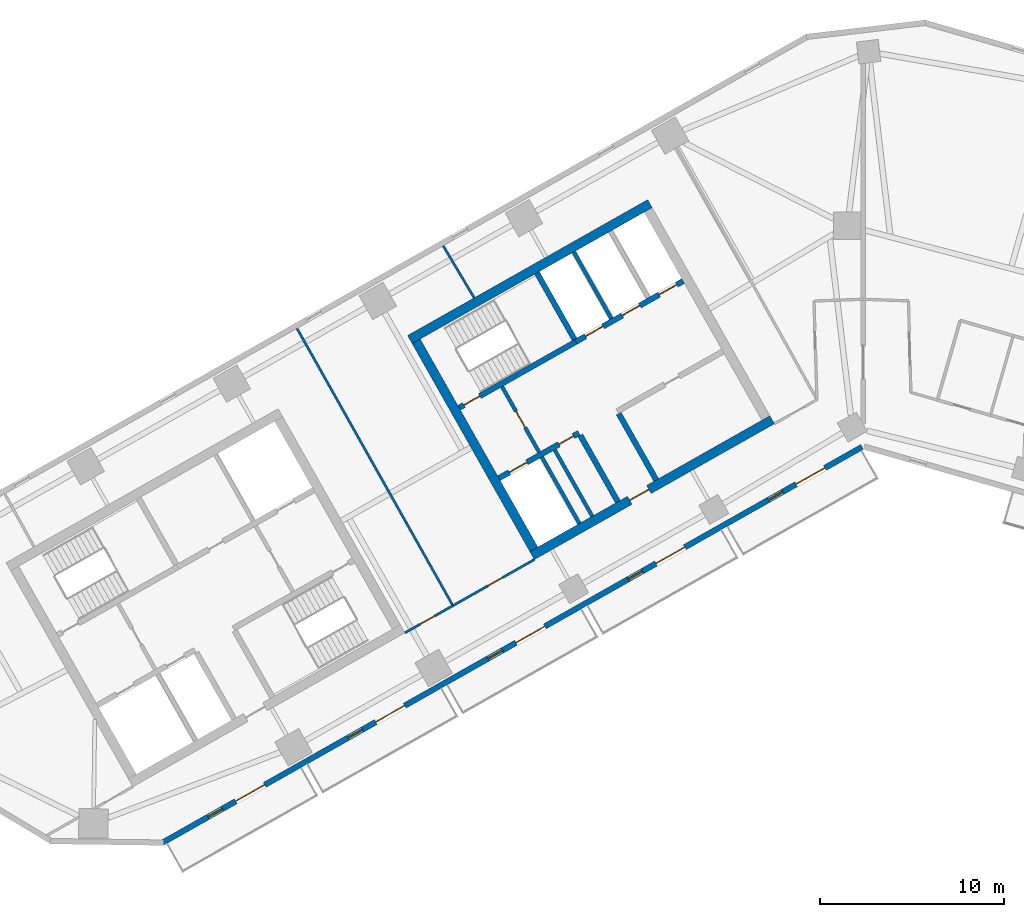
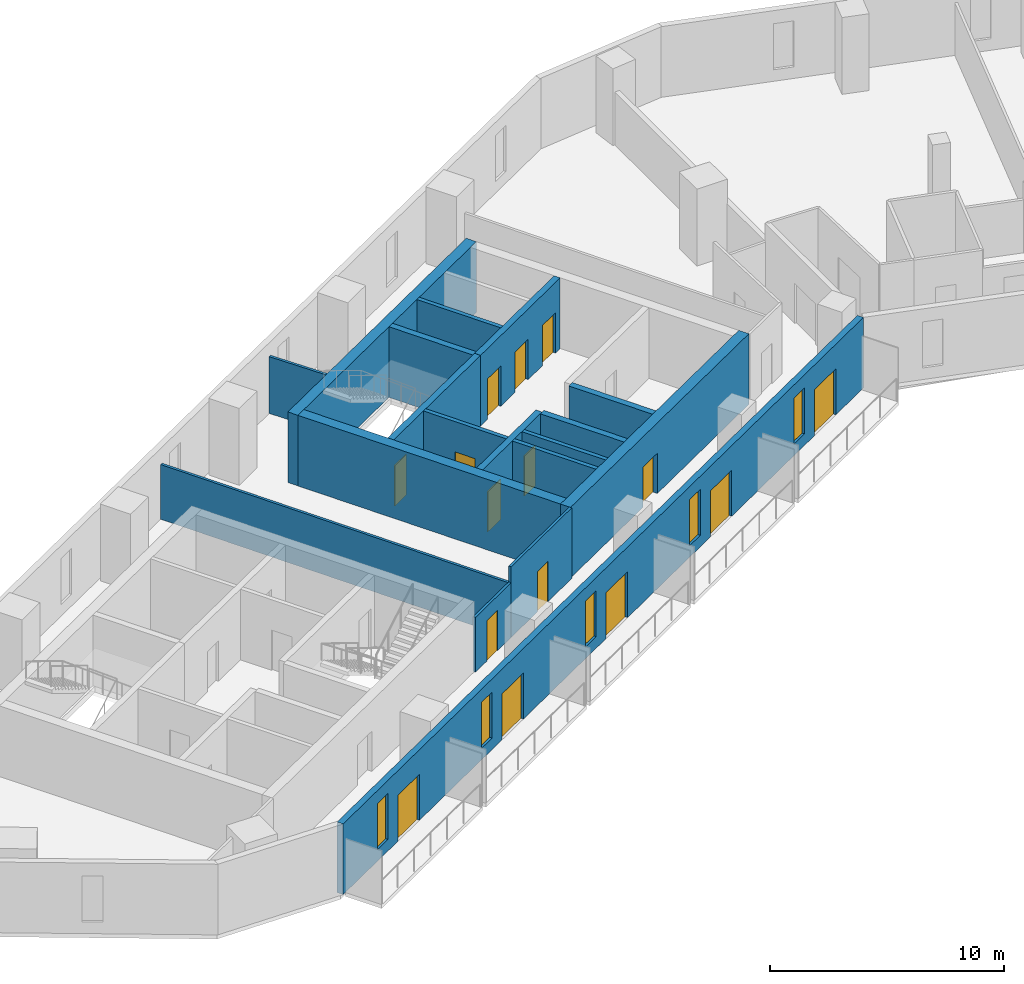
# One storey, part 4 of 9: 18 walls, 15 doors, 5 windows, 20 openings.
"""IFC4 building model written with IfcOpenShell, lengths in metres."""

from ifc_helpers import new_model, si_unit, direction, frame, frame_2d, origin, place, context, subcontext, project, spatial, rectangle, extrude, material, layer, layer_set, type_object, element, fill, save


model = new_model("IFC4")

# Units and contexts
model_context = context("Model", 3, precision=1e-05, world=origin(), true_north=direction((0.0, 1.0)))
body_context = subcontext(model_context, "Body", "Model", "MODEL_VIEW")
ifc_project = project(units=[si_unit("LENGTHUNIT", "METRE"), si_unit("AREAUNIT", "SQUARE_METRE"), si_unit("VOLUMEUNIT", "CUBIC_METRE"), si_unit("PLANEANGLEUNIT", "RADIAN"), si_unit("MASSUNIT", "GRAM", prefix="KILO")], contexts=[model_context])

# Site, building, storey
site_placement = place(None, origin())
site = spatial("IfcSite", under=ifc_project, at=site_placement, CompositionType="ELEMENT")
building_placement = place(site_placement, origin())
building = spatial("IfcBuilding", under=site, at=building_placement, Name="Binnacle Exchange Tower", CompositionType="ELEMENT")
storey_placement = place(building_placement, frame((0.0, 0.0, 158.89990234375)))
storey = spatial("IfcBuildingStorey", under=building, at=storey_placement, Name="L33", CompositionType="ELEMENT", Elevation=158.89990234375)

# Wall, openings, doors
ifc_material_1 = material(Name="Concrete C70/85", Category="concrete")
ifc_layer_1 = layer(ifc_material_1, 0.300048828125)
ifc_layer_set_1 = layer_set([ifc_layer_1], Name="Core wall - front 300")
wall_type_1 = type_object("IfcWallType", Name="Core wall - front 300", PredefinedType="SOLIDWALL", material=ifc_layer_set_1)
wall_1_placement = place(storey_placement, frame((-19.80517578125, 46.26708984375, 0.0), z_axis=(0.0, 0.0, 1.0), x_axis=(0.870353598469, 0.492427267353, 0.0)))
wall_1 = element("IfcWall", 1, at=wall_1_placement, inside=storey, type_object=wall_type_1, Name="Core wall CRWC2", PredefinedType="SOLIDWALL", context=body_context, shape_type="SweptSolid", body=[
    extrude(rectangle(XDim=5.0, YDim=0.300048828125, at=frame_2d((2.5, 0.0))), origin(), (0.0, 0.0, 1.0), 3.68017578125),
])
opening_1_placement = place(wall_1_placement, frame((0.64990234375, 0.0, 0.0)))
opening_1 = element("IfcOpeningElement", 2, at=opening_1_placement, cuts=wall_1, Name="Opening LD14", PredefinedType="OPENING", context=body_context, shape_type="SweptSolid", body=[
    extrude(rectangle(XDim=1.10009765625, YDim=2.10009765625, at=frame_2d((0.550048828125, 1.050048828125))), frame((0.0, 0.159912109375, 0.0), z_axis=(0.0, -1.0, 0.0), x_axis=(1.0, 0.0, 0.0)), (0.0, 0.0, 1.0), 0.320068359375),
])
opening_2_placement = place(wall_1_placement, frame((3.75, 0.0, 0.0)))
opening_2 = element("IfcOpeningElement", 3, at=opening_2_placement, cuts=wall_1, Name="Opening DC14", PredefinedType="OPENING", context=body_context, shape_type="SweptSolid", body=[
    extrude(rectangle(XDim=0.89990234375, YDim=2.10009765625, at=frame_2d((0.449951171875, 1.050048828125))), frame((0.0, 0.159912109375, 0.0), z_axis=(0.0, -1.0, 0.0), x_axis=(1.0, 0.0, 0.0)), (0.0, 0.0, 1.0), 0.320068359375),
])
ifc_material_2 = material(Name="Steel door leaf", Category="steel")
door_type_1 = type_object("IfcDoorType", Name="Fire door - lift landing 1100", OperationType="NOTDEFINED", PredefinedType="DOOR", material=ifc_material_2)
door_1_placement = place(opening_1_placement, origin())
door_1 = element("IfcDoor", 4, at=door_1_placement, inside=storey, type_object=door_type_1, Name="Landing door LD14 L33", OperationType="DOUBLE_DOOR_SLIDING", OverallHeight=2.10009765625, OverallWidth=1.10009765625, PredefinedType="DOOR", context=body_context, shape_type="SweptSolid", body=[
    extrude(rectangle(XDim=1.10009765625, YDim=2.10009765625, at=frame_2d((0.550048828125, 1.050048828125))), frame((0.0, 0.02490234375, 0.0), z_axis=(0.0, -1.0, 0.0), x_axis=(1.0, 0.0, 0.0)), (0.0, 0.0, 1.0), 0.050048828125),
])
fill(opening_1, door_1)
door_type_2 = type_object("IfcDoorType", Name="Fire door 900", OperationType="NOTDEFINED", PredefinedType="DOOR", material=ifc_material_2)
door_2_placement = place(opening_2_placement, frame((0.89990234375, 0.0, 0.0), z_axis=(0.0, 0.0, 1.0), x_axis=(-1.0, 0.0, 0.0)))
door_2 = element("IfcDoor", 5, at=door_2_placement, inside=storey, type_object=door_type_2, Name="Core room door COMMS RISER ROOM", OperationType="SINGLE_SWING_LEFT", OverallHeight=2.10009765625, OverallWidth=0.89990234375, PredefinedType="DOOR", context=body_context, shape_type="SweptSolid", body=[
    extrude(rectangle(XDim=0.89990234375, YDim=2.10009765625, at=frame_2d((0.449951171875, 1.050048828125))), frame((0.0, 0.02490234375, 0.0), z_axis=(0.0, -1.0, 0.0), x_axis=(1.0, 0.0, 0.0)), (0.0, 0.0, 1.0), 0.050048828125),
])
fill(opening_2, door_2)

wall_2_placement = place(storey_placement, frame((-15.6181640625, 53.69140625, 0.0), z_axis=(0.0, 0.0, 1.0), x_axis=(0.870363236066, 0.492410232738, 0.0)))
wall_2 = element("IfcWall", 6, at=wall_2_placement, inside=storey, type_object=wall_type_1, Name="Core wall CRWC5", PredefinedType="SOLIDWALL", context=body_context, shape_type="SweptSolid", body=[
    extrude(rectangle(XDim=6.699951171875, YDim=0.300048828125, at=frame_2d((3.35009765625, 0.0))), origin(), (0.0, 0.0, 1.0), 3.68017578125),
])
opening_3_placement = place(wall_2_placement, frame((0.60009765625, 0.0, 0.0)))
opening_3 = element("IfcOpeningElement", 7, at=opening_3_placement, cuts=wall_2, Name="Opening LD5", PredefinedType="OPENING", context=body_context, shape_type="SweptSolid", body=[
    extrude(rectangle(XDim=1.10009765625, YDim=2.10009765625, at=frame_2d((0.550048828125, 1.050048828125))), frame((0.0, 0.159912109375, 0.0), z_axis=(0.0, -1.0, 0.0), x_axis=(1.0, 0.0, 0.0)), (0.0, 0.0, 1.0), 0.320068359375),
])
opening_4_placement = place(wall_2_placement, frame((2.89990234375, 0.0, 0.0)))
opening_4 = element("IfcOpeningElement", 8, at=opening_4_placement, cuts=wall_2, Name="Opening LD6", PredefinedType="OPENING", context=body_context, shape_type="SweptSolid", body=[
    extrude(rectangle(XDim=1.10009765625, YDim=2.10009765625, at=frame_2d((0.550048828125, 1.050048828125))), frame((0.0, 0.159912109375, 0.0), z_axis=(0.0, -1.0, 0.0), x_axis=(1.0, 0.0, 0.0)), (0.0, 0.0, 1.0), 0.320068359375),
])
opening_5_placement = place(wall_2_placement, frame((5.199951171875, 0.0, 0.0)))
opening_5 = element("IfcOpeningElement", 9, at=opening_5_placement, cuts=wall_2, Name="Opening LD7", PredefinedType="OPENING", context=body_context, shape_type="SweptSolid", body=[
    extrude(rectangle(XDim=1.10009765625, YDim=2.10009765625, at=frame_2d((0.550048828125, 1.050048828125))), frame((0.0, 0.159912109375, 0.0), z_axis=(0.0, -1.0, 0.0), x_axis=(1.0, 0.0, 0.0)), (0.0, 0.0, 1.0), 0.320068359375),
])
door_3_placement = place(opening_3_placement, origin())
door_3 = element("IfcDoor", 10, at=door_3_placement, inside=storey, type_object=door_type_1, Name="Landing door LD5 L33", OperationType="DOUBLE_DOOR_SLIDING", OverallHeight=2.10009765625, OverallWidth=1.10009765625, PredefinedType="DOOR", context=body_context, shape_type="SweptSolid", body=[
    extrude(rectangle(XDim=1.10009765625, YDim=2.10009765625, at=frame_2d((0.550048828125, 1.050048828125))), frame((0.0, 0.02490234375, 0.0), z_axis=(0.0, -1.0, 0.0), x_axis=(1.0, 0.0, 0.0)), (0.0, 0.0, 1.0), 0.050048828125),
])
fill(opening_3, door_3)
door_4_placement = place(opening_4_placement, origin())
door_4 = element("IfcDoor", 11, at=door_4_placement, inside=storey, type_object=door_type_1, Name="Landing door LD6 L33", OperationType="DOUBLE_DOOR_SLIDING", OverallHeight=2.10009765625, OverallWidth=1.10009765625, PredefinedType="DOOR", context=body_context, shape_type="SweptSolid", body=[
    extrude(rectangle(XDim=1.10009765625, YDim=2.10009765625, at=frame_2d((0.550048828125, 1.050048828125))), frame((0.0, 0.02490234375, 0.0), z_axis=(0.0, -1.0, 0.0), x_axis=(1.0, 0.0, 0.0)), (0.0, 0.0, 1.0), 0.050048828125),
])
fill(opening_4, door_4)
door_5_placement = place(opening_5_placement, origin())
door_5 = element("IfcDoor", 12, at=door_5_placement, inside=storey, type_object=door_type_1, Name="Landing door LD7 L33", OperationType="DOUBLE_DOOR_SLIDING", OverallHeight=2.10009765625, OverallWidth=1.10009765625, PredefinedType="DOOR", context=body_context, shape_type="SweptSolid", body=[
    extrude(rectangle(XDim=1.10009765625, YDim=2.10009765625, at=frame_2d((0.550048828125, 1.050048828125))), frame((0.0, 0.02490234375, 0.0), z_axis=(0.0, -1.0, 0.0), x_axis=(1.0, 0.0, 0.0)), (0.0, 0.0, 1.0), 0.050048828125),
])
fill(opening_5, door_5)

# Walls
for number, where, z_axis, x_axis, name in (
    (13, (-15.37939453125, 48.5986328125, 0.0), (0.0, 0.0, 1.0), (0.492396453737, -0.870371031427, 0.0), "Core wall CRWC13"),
    (14, (-13.29052734375, 49.780517578125, 0.0), (0.0, 0.0, 1.0), (0.492396453737, -0.870371031427, 0.0), "Core wall CRWC15"),
):
    element("IfcWall", number, at=place(storey_placement, frame(where, z_axis=z_axis, x_axis=x_axis)), inside=storey, type_object=wall_type_1, Name=name, PredefinedType="SOLIDWALL", context=body_context, shape_type="SweptSolid", body=[
        extrude(rectangle(XDim=4.14990234375, YDim=0.300048828125, at=frame_2d((2.074951171875, 0.0))), origin(), (0.0, 0.0, 1.0), 3.68017578125),
    ])

# Wall, opening, door
ifc_layer_2 = layer(ifc_material_1, 0.5)
ifc_layer_set_2 = layer_set([ifc_layer_2], Name="Core wall - outer 500")
wall_type_2 = type_object("IfcWallType", Name="Core wall - outer 500", PredefinedType="SOLIDWALL", material=ifc_layer_set_2)
wall_3_placement = place(storey_placement, frame((-17.999755859375, 42.060791015625, 0.0), z_axis=(0.0, 0.0, 1.0), x_axis=(0.870356627484, 0.492421913601, 0.0)))
wall_3 = element("IfcWall", 15, at=wall_3_placement, inside=storey, type_object=wall_type_2, Name="Core wall CRWC1", PredefinedType="SOLIDWALL", context=body_context, shape_type="SweptSolid", body=[
    extrude(rectangle(XDim=14.999755859375, YDim=0.5, at=frame_2d((7.5, 0.0))), origin(), (0.0, 0.0, 1.0), 3.68017578125),
])
opening_6_placement = place(wall_3_placement, frame((6.10009765625, 0.0, 0.0)))
opening_6 = element("IfcOpeningElement", 16, at=opening_6_placement, cuts=wall_3, Name="Opening DC7", PredefinedType="OPENING", context=body_context, shape_type="SweptSolid", body=[
    extrude(rectangle(XDim=1.199951171875, YDim=2.10009765625, at=frame_2d((0.60009765625, 1.050048828125))), frame((0.0, 0.260009765625, 0.0), z_axis=(0.0, -1.0, 0.0), x_axis=(1.0, 0.0, 0.0)), (0.0, 0.0, 1.0), 0.52001953125),
])
door_type_3 = type_object("IfcDoorType", Name="Fire door 1200", OperationType="NOTDEFINED", PredefinedType="DOOR", material=ifc_material_2)
door_6_placement = place(opening_6_placement, frame((1.199951171875, 0.0, 0.0), z_axis=(0.0, 0.0, 1.0), x_axis=(-1.0, 0.0, 0.0)))
door_6 = element("IfcDoor", 17, at=door_6_placement, inside=storey, type_object=door_type_3, Name="Lift lobby entrance door core C", OperationType="SINGLE_SWING_RIGHT", OverallHeight=2.10009765625, OverallWidth=1.199951171875, PredefinedType="DOOR", context=body_context, shape_type="SweptSolid", body=[
    extrude(rectangle(XDim=1.199951171875, YDim=2.10009765625, at=frame_2d((0.60009765625, 1.050048828125))), frame((0.0, 0.02490234375, 0.0), z_axis=(0.0, -1.0, 0.0), x_axis=(1.0, 0.0, 0.0)), (0.0, 0.0, 1.0), 0.050048828125),
])
fill(opening_6, door_6)

# Walls
wall_4_placement = place(storey_placement, frame((-24.6474609375, 53.810546875, 0.0), z_axis=(0.0, 0.0, 1.0), x_axis=(0.87034965173, 0.492434243055, 0.0)))
element("IfcWall", 18, at=wall_4_placement, inside=storey, type_object=wall_type_2, Name="Core wall CRWC6", PredefinedType="SOLIDWALL", context=body_context, shape_type="SweptSolid", body=[
    extrude(rectangle(XDim=15.0, YDim=0.5, at=frame_2d((7.5, 0.0))), origin(), (0.0, 0.0, 1.0), 3.68017578125),
])
wall_5_placement = place(storey_placement, frame((-24.306884765625, 53.716064453125, 0.0), z_axis=(0.0, 0.0, 1.0), x_axis=(0.492427267353, -0.870353598469, 0.0)))
element("IfcWall", 19, at=wall_5_placement, inside=storey, type_object=wall_type_2, Name="Core wall CRWC7", PredefinedType="SOLIDWALL", context=body_context, shape_type="SweptSolid", body=[
    extrude(rectangle(XDim=13.0, YDim=0.5, at=frame_2d((6.5, 0.0))), origin(), (0.0, 0.0, 1.0), 3.68017578125),
])

# Wall, opening, door
ifc_layer_3 = layer(ifc_material_1, 0.300048828125)
ifc_layer_set_3 = layer_set([ifc_layer_3], Name="Core wall - stair 300")
wall_type_3 = type_object("IfcWallType", Name="Core wall - stair 300", PredefinedType="SOLIDWALL", material=ifc_layer_set_3)
wall_6_placement = place(storey_placement, frame((-21.9716796875, 50.0966796875, 0.0), z_axis=(0.0, 0.0, 1.0), x_axis=(0.870350976978, 0.492431900747, 0.0)))
wall_6 = element("IfcWall", 20, at=wall_6_placement, inside=storey, type_object=wall_type_3, Name="Core wall CRWC4", PredefinedType="SOLIDWALL", context=body_context, shape_type="SweptSolid", body=[
    extrude(rectangle(XDim=7.300048828125, YDim=0.300048828125, at=frame_2d((3.64990234375, 0.0))), origin(), (0.0, 0.0, 1.0), 3.68017578125),
])
opening_7_placement = place(wall_6_placement, frame((0.300048828125, 0.0, 0.0)))
opening_7 = element("IfcOpeningElement", 21, at=opening_7_placement, cuts=wall_6, Name="Opening DC1", PredefinedType="OPENING", context=body_context, shape_type="SweptSolid", body=[
    extrude(rectangle(XDim=1.0, YDim=2.10009765625, at=frame_2d((0.5, 1.050048828125))), frame((0.0, 0.159912109375, 0.0), z_axis=(0.0, -1.0, 0.0), x_axis=(1.0, 0.0, 0.0)), (0.0, 0.0, 1.0), 0.320068359375),
])
door_type_4 = type_object("IfcDoorType", Name="Fire door 1000", OperationType="NOTDEFINED", PredefinedType="DOOR", material=ifc_material_2)
door_7_placement = place(opening_7_placement, origin())
door_7 = element("IfcDoor", 22, at=door_7_placement, inside=storey, type_object=door_type_4, Name="Stair door ST-C1", OperationType="SINGLE_SWING_LEFT", OverallHeight=2.10009765625, OverallWidth=1.0, PredefinedType="DOOR", context=body_context, shape_type="SweptSolid", body=[
    extrude(rectangle(XDim=1.0, YDim=2.10009765625, at=frame_2d((0.5, 1.050048828125))), frame((0.0, 0.02490234375, 0.0), z_axis=(0.0, -1.0, 0.0), x_axis=(1.0, 0.0, 0.0)), (0.0, 0.0, 1.0), 0.050048828125),
])
fill(opening_7, door_7)

# Wall
wall_7_placement = place(storey_placement, frame((-17.735595703125, 57.433837890625, 0.0), z_axis=(0.0, 0.0, 1.0), x_axis=(0.492421666909, -0.870356767055, 0.0)))
element("IfcWall", 23, at=wall_7_placement, inside=storey, type_object=wall_type_3, Name="Core wall CRWC14", PredefinedType="SOLIDWALL", context=body_context, shape_type="SweptSolid", body=[
    extrude(rectangle(XDim=4.14990234375, YDim=0.300048828125, at=frame_2d((2.074951171875, 0.0))), origin(), (0.0, 0.0, 1.0), 3.68017578125),
])

# Wall, openings, doors, windows
ifc_material_3 = material(Name="Bronze aluminium cladding", Category="aluminium")
ifc_layer_4 = layer(ifc_material_3, 0.300048828125)
ifc_layer_set_4 = layer_set([ifc_layer_4], Name="External wall - spandrel 300")
wall_type_4 = type_object("IfcWallType", Name="External wall - spandrel 300", PredefinedType="STANDARD", material=ifc_layer_set_4)
wall_8_placement = place(storey_placement, frame((-0.0546875, 47.968994140625, 0.0), z_axis=(0.0, 0.0, 1.0), x_axis=(-0.870355730478, -0.492423499058, 0.0)))
wall_8 = element("IfcWall", 24, at=wall_8_placement, inside=storey, type_object=wall_type_4, Name="External wall EW-G01 L33", PredefinedType="STANDARD", context=body_context, shape_type="SweptSolid", body=[
    extrude(rectangle(XDim=43.750244140625, YDim=0.300048828125, at=frame_2d((21.875, 0.0))), origin(), (0.0, 0.0, 1.0), 3.68017578125),
])
opening_8_placement = place(wall_8_placement, frame((39.976806640625, 0.0, 0.60009765625)))
opening_8 = element("IfcOpeningElement", 25, at=opening_8_placement, cuts=wall_8, Name="Opening WS3", PredefinedType="OPENING", context=body_context, shape_type="SweptSolid", body=[
    extrude(rectangle(XDim=0.89990234375, YDim=2.39990234375, at=frame_2d((0.449951171875, 1.199951171875))), frame((0.0, 0.159912109375, 0.0), z_axis=(0.0, -1.0, 0.0), x_axis=(1.0, 0.0, 0.0)), (0.0, 0.0, 1.0), 0.320068359375),
])
opening_9_placement = place(wall_8_placement, frame((37.338134765625, 0.0, 0.0)))
opening_9 = element("IfcOpeningElement", 26, at=opening_9_placement, cuts=wall_8, Name="Opening D-FS11-01", PredefinedType="OPENING", context=body_context, shape_type="SweptSolid", body=[
    extrude(rectangle(XDim=1.800048828125, YDim=2.39990234375, at=frame_2d((0.89990234375, 1.199951171875))), frame((0.0, 0.159912109375, 0.0), z_axis=(0.0, -1.0, 0.0), x_axis=(1.0, 0.0, 0.0)), (0.0, 0.0, 1.0), 0.320068359375),
])
opening_10_placement = place(wall_8_placement, frame((31.222412109375, 0.0, 0.60009765625)))
opening_10 = element("IfcOpeningElement", 27, at=opening_10_placement, cuts=wall_8, Name="Opening WS3", PredefinedType="OPENING", context=body_context, shape_type="SweptSolid", body=[
    extrude(rectangle(XDim=0.89990234375, YDim=2.39990234375, at=frame_2d((0.449951171875, 1.199951171875))), frame((0.0, 0.159912109375, 0.0), z_axis=(0.0, -1.0, 0.0), x_axis=(1.0, 0.0, 0.0)), (0.0, 0.0, 1.0), 0.320068359375),
])
opening_11_placement = place(wall_8_placement, frame((28.583740234375, 0.0, 0.0)))
opening_11 = element("IfcOpeningElement", 28, at=opening_11_placement, cuts=wall_8, Name="Opening D-FS11-02", PredefinedType="OPENING", context=body_context, shape_type="SweptSolid", body=[
    extrude(rectangle(XDim=1.800048828125, YDim=2.39990234375, at=frame_2d((0.89990234375, 1.199951171875))), frame((0.0, 0.159912109375, 0.0), z_axis=(0.0, -1.0, 0.0), x_axis=(1.0, 0.0, 0.0)), (0.0, 0.0, 1.0), 0.320068359375),
])
opening_12_placement = place(wall_8_placement, frame((22.4677734375, 0.0, 0.60009765625)))
opening_12 = element("IfcOpeningElement", 29, at=opening_12_placement, cuts=wall_8, Name="Opening WS3", PredefinedType="OPENING", context=body_context, shape_type="SweptSolid", body=[
    extrude(rectangle(XDim=0.89990234375, YDim=2.39990234375, at=frame_2d((0.449951171875, 1.199951171875))), frame((0.0, 0.159912109375, 0.0), z_axis=(0.0, -1.0, 0.0), x_axis=(1.0, 0.0, 0.0)), (0.0, 0.0, 1.0), 0.320068359375),
])
opening_13_placement = place(wall_8_placement, frame((19.8291015625, 0.0, 0.0)))
opening_13 = element("IfcOpeningElement", 30, at=opening_13_placement, cuts=wall_8, Name="Opening D-FS11-03", PredefinedType="OPENING", context=body_context, shape_type="SweptSolid", body=[
    extrude(rectangle(XDim=1.800048828125, YDim=2.39990234375, at=frame_2d((0.89990234375, 1.199951171875))), frame((0.0, 0.159912109375, 0.0), z_axis=(0.0, -1.0, 0.0), x_axis=(1.0, 0.0, 0.0)), (0.0, 0.0, 1.0), 0.320068359375),
])
opening_14_placement = place(wall_8_placement, frame((13.713134765625, 0.0, 0.60009765625)))
opening_14 = element("IfcOpeningElement", 31, at=opening_14_placement, cuts=wall_8, Name="Opening WS3", PredefinedType="OPENING", context=body_context, shape_type="SweptSolid", body=[
    extrude(rectangle(XDim=0.89990234375, YDim=2.39990234375, at=frame_2d((0.449951171875, 1.199951171875))), frame((0.0, 0.159912109375, 0.0), z_axis=(0.0, -1.0, 0.0), x_axis=(1.0, 0.0, 0.0)), (0.0, 0.0, 1.0), 0.320068359375),
])
opening_15_placement = place(wall_8_placement, frame((11.07470703125, 0.0, 0.0)))
opening_15 = element("IfcOpeningElement", 32, at=opening_15_placement, cuts=wall_8, Name="Opening D-FS11-04", PredefinedType="OPENING", context=body_context, shape_type="SweptSolid", body=[
    extrude(rectangle(XDim=1.800048828125, YDim=2.39990234375, at=frame_2d((0.89990234375, 1.199951171875))), frame((0.0, 0.159912109375, 0.0), z_axis=(0.0, -1.0, 0.0), x_axis=(1.0, 0.0, 0.0)), (0.0, 0.0, 1.0), 0.320068359375),
])
opening_16_placement = place(wall_8_placement, frame((4.958740234375, 0.0, 0.60009765625)))
opening_16 = element("IfcOpeningElement", 33, at=opening_16_placement, cuts=wall_8, Name="Opening WS3", PredefinedType="OPENING", context=body_context, shape_type="SweptSolid", body=[
    extrude(rectangle(XDim=0.89990234375, YDim=2.39990234375, at=frame_2d((0.449951171875, 1.199951171875))), frame((0.0, 0.159912109375, 0.0), z_axis=(0.0, -1.0, 0.0), x_axis=(1.0, 0.0, 0.0)), (0.0, 0.0, 1.0), 0.320068359375),
])
opening_17_placement = place(wall_8_placement, frame((2.320068359375, 0.0, 0.0)))
opening_17 = element("IfcOpeningElement", 34, at=opening_17_placement, cuts=wall_8, Name="Opening D-FS11-05", PredefinedType="OPENING", context=body_context, shape_type="SweptSolid", body=[
    extrude(rectangle(XDim=1.800048828125, YDim=2.39990234375, at=frame_2d((0.89990234375, 1.199951171875))), frame((0.0, 0.159912109375, 0.0), z_axis=(0.0, -1.0, 0.0), x_axis=(1.0, 0.0, 0.0)), (0.0, 0.0, 1.0), 0.320068359375),
])
ifc_material_4 = material(Name="Bronze anodised aluminium frame", Category="aluminium")
door_type_5 = type_object("IfcDoorType", Name="DB DOOR 1800x2400", OperationType="DOUBLE_DOOR_SINGLE_SWING", PredefinedType="DOOR", material=ifc_material_4)
door_8_placement = place(opening_9_placement, origin())
door_8 = element("IfcDoor", 35, at=door_8_placement, inside=storey, type_object=door_type_5, Name="Door D-FS11-01 L33", OperationType="DOUBLE_DOOR_SINGLE_SWING", OverallHeight=2.39990234375, OverallWidth=1.800048828125, PredefinedType="DOOR", context=body_context, shape_type="SweptSolid", body=[
    extrude(rectangle(XDim=1.800048828125, YDim=2.39990234375, at=frame_2d((0.89990234375, 1.199951171875))), frame((0.0, 0.02490234375, 0.0), z_axis=(0.0, -1.0, 0.0), x_axis=(1.0, 0.0, 0.0)), (0.0, 0.0, 1.0), 0.050048828125),
])
fill(opening_9, door_8)
door_9_placement = place(opening_11_placement, origin())
door_9 = element("IfcDoor", 36, at=door_9_placement, inside=storey, type_object=door_type_5, Name="Door D-FS11-02 L33", OperationType="DOUBLE_DOOR_SINGLE_SWING", OverallHeight=2.39990234375, OverallWidth=1.800048828125, PredefinedType="DOOR", context=body_context, shape_type="SweptSolid", body=[
    extrude(rectangle(XDim=1.800048828125, YDim=2.39990234375, at=frame_2d((0.89990234375, 1.199951171875))), frame((0.0, 0.02490234375, 0.0), z_axis=(0.0, -1.0, 0.0), x_axis=(1.0, 0.0, 0.0)), (0.0, 0.0, 1.0), 0.050048828125),
])
fill(opening_11, door_9)
door_10_placement = place(opening_13_placement, origin())
door_10 = element("IfcDoor", 37, at=door_10_placement, inside=storey, type_object=door_type_5, Name="Door D-FS11-03 L33", OperationType="DOUBLE_DOOR_SINGLE_SWING", OverallHeight=2.39990234375, OverallWidth=1.800048828125, PredefinedType="DOOR", context=body_context, shape_type="SweptSolid", body=[
    extrude(rectangle(XDim=1.800048828125, YDim=2.39990234375, at=frame_2d((0.89990234375, 1.199951171875))), frame((0.0, 0.02490234375, 0.0), z_axis=(0.0, -1.0, 0.0), x_axis=(1.0, 0.0, 0.0)), (0.0, 0.0, 1.0), 0.050048828125),
])
fill(opening_13, door_10)
door_11_placement = place(opening_15_placement, origin())
door_11 = element("IfcDoor", 38, at=door_11_placement, inside=storey, type_object=door_type_5, Name="Door D-FS11-04 L33", OperationType="DOUBLE_DOOR_SINGLE_SWING", OverallHeight=2.39990234375, OverallWidth=1.800048828125, PredefinedType="DOOR", context=body_context, shape_type="SweptSolid", body=[
    extrude(rectangle(XDim=1.800048828125, YDim=2.39990234375, at=frame_2d((0.89990234375, 1.199951171875))), frame((0.0, 0.02490234375, 0.0), z_axis=(0.0, -1.0, 0.0), x_axis=(1.0, 0.0, 0.0)), (0.0, 0.0, 1.0), 0.050048828125),
])
fill(opening_15, door_11)
door_12_placement = place(opening_17_placement, origin())
door_12 = element("IfcDoor", 39, at=door_12_placement, inside=storey, type_object=door_type_5, Name="Door D-FS11-05 L33", OperationType="DOUBLE_DOOR_SINGLE_SWING", OverallHeight=2.39990234375, OverallWidth=1.800048828125, PredefinedType="DOOR", context=body_context, shape_type="SweptSolid", body=[
    extrude(rectangle(XDim=1.800048828125, YDim=2.39990234375, at=frame_2d((0.89990234375, 1.199951171875))), frame((0.0, 0.02490234375, 0.0), z_axis=(0.0, -1.0, 0.0), x_axis=(1.0, 0.0, 0.0)), (0.0, 0.0, 1.0), 0.050048828125),
])
fill(opening_17, door_12)
window_type = type_object("IfcWindowType", Name="WS3 WINDOW 900x2400", PartitioningType="SINGLE_PANEL", PredefinedType="WINDOW", material=ifc_material_4)
window_1_placement = place(opening_8_placement, origin())
window_1 = element("IfcWindow", 40, at=window_1_placement, inside=storey, type_object=window_type, Name="Window WS3 L33", OverallHeight=2.39990234375, OverallWidth=0.89990234375, PartitioningType="SINGLE_PANEL", PredefinedType="WINDOW", context=body_context, shape_type="SweptSolid", body=[
    extrude(rectangle(XDim=0.89990234375, YDim=2.39990234375, at=frame_2d((0.449951171875, 1.199951171875))), frame((0.0, 0.030029296875, 0.0), z_axis=(0.0, -1.0, 0.0), x_axis=(1.0, 0.0, 0.0)), (0.0, 0.0, 1.0), 0.06005859375),
])
fill(opening_8, window_1)
window_2_placement = place(opening_10_placement, origin())
window_2 = element("IfcWindow", 41, at=window_2_placement, inside=storey, type_object=window_type, Name="Window WS3 L33", OverallHeight=2.39990234375, OverallWidth=0.89990234375, PartitioningType="SINGLE_PANEL", PredefinedType="WINDOW", context=body_context, shape_type="SweptSolid", body=[
    extrude(rectangle(XDim=0.89990234375, YDim=2.39990234375, at=frame_2d((0.449951171875, 1.199951171875))), frame((0.0, 0.030029296875, 0.0), z_axis=(0.0, -1.0, 0.0), x_axis=(1.0, 0.0, 0.0)), (0.0, 0.0, 1.0), 0.06005859375),
])
fill(opening_10, window_2)
window_3_placement = place(opening_12_placement, origin())
window_3 = element("IfcWindow", 42, at=window_3_placement, inside=storey, type_object=window_type, Name="Window WS3 L33", OverallHeight=2.39990234375, OverallWidth=0.89990234375, PartitioningType="SINGLE_PANEL", PredefinedType="WINDOW", context=body_context, shape_type="SweptSolid", body=[
    extrude(rectangle(XDim=0.89990234375, YDim=2.39990234375, at=frame_2d((0.449951171875, 1.199951171875))), frame((0.0, 0.030029296875, 0.0), z_axis=(0.0, -1.0, 0.0), x_axis=(1.0, 0.0, 0.0)), (0.0, 0.0, 1.0), 0.06005859375),
])
fill(opening_12, window_3)
window_4_placement = place(opening_14_placement, origin())
window_4 = element("IfcWindow", 43, at=window_4_placement, inside=storey, type_object=window_type, Name="Window WS3 L33", OverallHeight=2.39990234375, OverallWidth=0.89990234375, PartitioningType="SINGLE_PANEL", PredefinedType="WINDOW", context=body_context, shape_type="SweptSolid", body=[
    extrude(rectangle(XDim=0.89990234375, YDim=2.39990234375, at=frame_2d((0.449951171875, 1.199951171875))), frame((0.0, 0.030029296875, 0.0), z_axis=(0.0, -1.0, 0.0), x_axis=(1.0, 0.0, 0.0)), (0.0, 0.0, 1.0), 0.06005859375),
])
fill(opening_14, window_4)
window_5_placement = place(opening_16_placement, origin())
window_5 = element("IfcWindow", 44, at=window_5_placement, inside=storey, type_object=window_type, Name="Window WS3 L33", OverallHeight=2.39990234375, OverallWidth=0.89990234375, PartitioningType="SINGLE_PANEL", PredefinedType="WINDOW", context=body_context, shape_type="SweptSolid", body=[
    extrude(rectangle(XDim=0.89990234375, YDim=2.39990234375, at=frame_2d((0.449951171875, 1.199951171875))), frame((0.0, 0.030029296875, 0.0), z_axis=(0.0, -1.0, 0.0), x_axis=(1.0, 0.0, 0.0)), (0.0, 0.0, 1.0), 0.06005859375),
])
fill(opening_16, window_5)

# Wall, opening, door
ifc_material_5 = material(Name="Masonry block wall", Category="masonry")
ifc_layer_5 = layer(ifc_material_5, 0.199951171875)
ifc_layer_set_5 = layer_set([ifc_layer_5], Name="Fire wall - vestibule 200")
wall_type_5 = type_object("IfcWallType", Name="Fire wall - vestibule 200", PredefinedType="PARTITIONING", material=ifc_layer_set_5)
wall_9_placement = place(storey_placement, frame((-19.635009765625, 51.246337890625, 0.0), z_axis=(0.0, 0.0, 1.0), x_axis=(0.492408451753, -0.87036424366, 0.0)))
wall_9 = element("IfcWall", 45, at=wall_9_placement, inside=storey, type_object=wall_type_5, Name="Core wall CRWC10", PredefinedType="PARTITIONING", context=body_context, shape_type="SweptSolid", body=[
    extrude(rectangle(XDim=4.099853515625, YDim=0.199951171875, at=frame_2d((2.0498046875, 0.0))), origin(), (0.0, 0.0, 1.0), 3.68017578125),
])
opening_18_placement = place(wall_9_placement, frame((1.550048828125, 0.0, 0.0)))
opening_18 = element("IfcOpeningElement", 46, at=opening_18_placement, cuts=wall_9, Name="Opening DC3", PredefinedType="OPENING", context=body_context, shape_type="SweptSolid", body=[
    extrude(rectangle(XDim=1.0, YDim=2.10009765625, at=frame_2d((0.5, 1.050048828125))), frame((0.0, 0.10986328125, 0.0), z_axis=(0.0, -1.0, 0.0), x_axis=(1.0, 0.0, 0.0)), (0.0, 0.0, 1.0), 0.219970703125),
])
door_13_placement = place(opening_18_placement, frame((1.0, 0.0, 0.0), z_axis=(0.0, 0.0, 1.0), x_axis=(-1.0, 0.0, 0.0)))
door_13 = element("IfcDoor", 47, at=door_13_placement, inside=storey, type_object=door_type_4, Name="Vestibule door VEST-W", OperationType="SINGLE_SWING_RIGHT", OverallHeight=2.10009765625, OverallWidth=1.0, PredefinedType="DOOR", context=body_context, shape_type="SweptSolid", body=[
    extrude(rectangle(XDim=1.0, YDim=2.10009765625, at=frame_2d((0.5, 1.050048828125))), frame((0.0, 0.02490234375, 0.0), z_axis=(0.0, -1.0, 0.0), x_axis=(1.0, 0.0, 0.0)), (0.0, 0.0, 1.0), 0.050048828125),
])
fill(opening_18, door_13)

# Wall
ifc_material_6 = material(Name="Gypsum partition")
ifc_layer_6 = layer(ifc_material_6, 0.125)
ifc_layer_set_6 = layer_set([ifc_layer_6], Name="Partition 125")
wall_type_6 = type_object("IfcWallType", Name="Partition 125", PredefinedType="PARTITIONING", material=ifc_layer_set_6)
wall_10_placement = place(storey_placement, frame((-30.784912109375, 54.410888671875, 0.0), z_axis=(0.0, 0.0, 1.0), x_axis=(0.490135904292, -0.871646026391, 0.0)))
element("IfcWall", 48, at=wall_10_placement, inside=storey, type_object=wall_type_6, Name="Partition W04", PredefinedType="PARTITIONING", context=body_context, shape_type="SweptSolid", body=[
    extrude(rectangle(XDim=17.294921875, YDim=0.125, at=frame_2d((8.6474609375, 0.0))), origin(), (0.0, 0.0, 1.0), 2.85205078125),
])

# Wall, opening, door
wall_11_placement = place(storey_placement, frame((-24.9189453125, 37.85888671875, 0.0), z_axis=(0.0, 0.0, 1.0), x_axis=(0.870368744559, 0.492400496034, 0.0)))
wall_11 = element("IfcWall", 49, at=wall_11_placement, inside=storey, type_object=wall_type_6, Name="Partition W05", PredefinedType="PARTITIONING", context=body_context, shape_type="SweptSolid", body=[
    extrude(rectangle(XDim=2.999755859375, YDim=0.125, at=frame_2d((1.5, 0.0))), origin(), (0.0, 0.0, 1.0), 2.85205078125),
])
opening_19_placement = place(wall_11_placement, frame((0.949951171875, 0.0, 0.0)))
opening_19 = element("IfcOpeningElement", 50, at=opening_19_placement, cuts=wall_11, Name="Opening DL32-02", PredefinedType="OPENING", context=body_context, shape_type="SweptSolid", body=[
    extrude(rectangle(XDim=0.89990234375, YDim=2.10009765625, at=frame_2d((0.449951171875, 1.050048828125))), frame((0.0, 0.072509765625, 0.0), z_axis=(0.0, -1.0, 0.0), x_axis=(1.0, 0.0, 0.0)), (0.0, 0.0, 1.0), 0.14501953125),
])
ifc_material_7 = material(Name="Timber door leaf", Category="wood")
door_type_6 = type_object("IfcDoorType", Name="Door 900", OperationType="NOTDEFINED", PredefinedType="DOOR", material=ifc_material_7)
door_14_placement = place(opening_19_placement, origin())
door_14 = element("IfcDoor", 51, at=door_14_placement, inside=storey, type_object=door_type_6, Name="Door DL32-02", OperationType="SINGLE_SWING_LEFT", OverallHeight=2.10009765625, OverallWidth=0.89990234375, PredefinedType="DOOR", context=body_context, shape_type="SweptSolid", body=[
    extrude(rectangle(XDim=0.89990234375, YDim=2.10009765625, at=frame_2d((0.449951171875, 1.050048828125))), frame((0.0, 0.02490234375, 0.0), z_axis=(0.0, -1.0, 0.0), x_axis=(1.0, 0.0, 0.0)), (0.0, 0.0, 1.0), 0.050048828125),
])
fill(opening_19, door_14)

# Wall
wall_12_placement = place(storey_placement, frame((-22.8349609375, 58.907958984375, 0.0), z_axis=(0.0, 0.0, 1.0), x_axis=(0.511113859879, -0.859513014584, 0.0)))
element("IfcWall", 52, at=wall_12_placement, inside=storey, type_object=wall_type_6, Name="Partition W06", PredefinedType="PARTITIONING", context=body_context, shape_type="SweptSolid", body=[
    extrude(rectangle(XDim=3.294921875, YDim=0.125, at=frame_2d((1.6474609375, 0.0))), origin(), (0.0, 0.0, 1.0), 2.960205078125),
])

# Wall, opening, door
wall_13_placement = place(storey_placement, frame((-22.30810546875, 39.3359375, 0.0), z_axis=(0.0, 0.0, 1.0), x_axis=(0.870351090701, 0.492431699747, 0.0)))
wall_13 = element("IfcWall", 53, at=wall_13_placement, inside=storey, type_object=wall_type_6, Name="Partition W07", PredefinedType="PARTITIONING", context=body_context, shape_type="SweptSolid", body=[
    extrude(rectangle(XDim=5.09130859375, YDim=0.125, at=frame_2d((2.545654296875, 0.0))), origin(), (0.0, 0.0, 1.0), 3.68017578125),
])
opening_20_placement = place(wall_13_placement, frame((2.199951171875, 0.0, 0.0)))
opening_20 = element("IfcOpeningElement", 54, at=opening_20_placement, cuts=wall_13, Name="Opening DL32-03", PredefinedType="OPENING", context=body_context, shape_type="SweptSolid", body=[
    extrude(rectangle(XDim=0.89990234375, YDim=2.10009765625, at=frame_2d((0.449951171875, 1.050048828125))), frame((0.0, 0.072509765625, 0.0), z_axis=(0.0, -1.0, 0.0), x_axis=(1.0, 0.0, 0.0)), (0.0, 0.0, 1.0), 0.14501953125),
])
door_15_placement = place(opening_20_placement, origin())
door_15 = element("IfcDoor", 55, at=door_15_placement, inside=storey, type_object=door_type_6, Name="Door DL32-03", OperationType="SINGLE_SWING_RIGHT", OverallHeight=2.10009765625, OverallWidth=0.89990234375, PredefinedType="DOOR", context=body_context, shape_type="SweptSolid", body=[
    extrude(rectangle(XDim=0.89990234375, YDim=2.10009765625, at=frame_2d((0.449951171875, 1.050048828125))), frame((0.0, 0.02490234375, 0.0), z_axis=(0.0, -1.0, 0.0), x_axis=(1.0, 0.0, 0.0)), (0.0, 0.0, 1.0), 0.050048828125),
])
fill(opening_20, door_15)

# Walls
ifc_layer_7 = layer(ifc_material_5, 0.199951171875)
ifc_layer_set_7 = layer_set([ifc_layer_7], Name="Riser wall 200")
wall_type_7 = type_object("IfcWallType", Name="Riser wall 200", PredefinedType="SOLIDWALL", material=ifc_layer_set_7)
for number, where, z_axis, x_axis, name in (
    (56, (-17.468505859375, 47.416748046875, 0.0), (0.0, 0.0, 1.0), (0.492441017253, -0.870345818929, 0.0), "Core wall CRWC8"),
    (57, (-16.772216796875, 47.810791015625, 0.0), (0.0, 0.0, 1.0), (0.492441017253, -0.870345818929, 0.0), "Core wall CRWC11"),
):
    element("IfcWall", number, at=place(storey_placement, frame(where, z_axis=z_axis, x_axis=x_axis)), inside=storey, type_object=wall_type_7, Name=name, PredefinedType="SOLIDWALL", context=body_context, shape_type="SweptSolid", body=[
        extrude(rectangle(XDim=4.150146484375, YDim=0.199951171875, at=frame_2d((2.0751953125, 0.0))), origin(), (0.0, 0.0, 1.0), 3.68017578125),
    ])
ifc_layer_8 = layer(ifc_material_5, 0.199951171875)
ifc_layer_set_8 = layer_set([ifc_layer_8], Name="Shaft wall 200")
wall_type_8 = type_object("IfcWallType", Name="Shaft wall 200", PredefinedType="SOLIDWALL", material=ifc_layer_set_8)
wall_14_placement = place(storey_placement, frame((-15.73388671875, 58.56640625, 0.0), z_axis=(0.0, 0.0, 1.0), x_axis=(0.492441017253, -0.870345818929, 0.0)))
element("IfcWall", 58, at=wall_14_placement, inside=storey, type_object=wall_type_8, Name="Core wall CRWC18", PredefinedType="SOLIDWALL", context=body_context, shape_type="SweptSolid", body=[
    extrude(rectangle(XDim=4.150146484375, YDim=0.199951171875, at=frame_2d((2.0751953125, 0.0))), origin(), (0.0, 0.0, 1.0), 3.68017578125),
])

save(model, "model.ifc")
